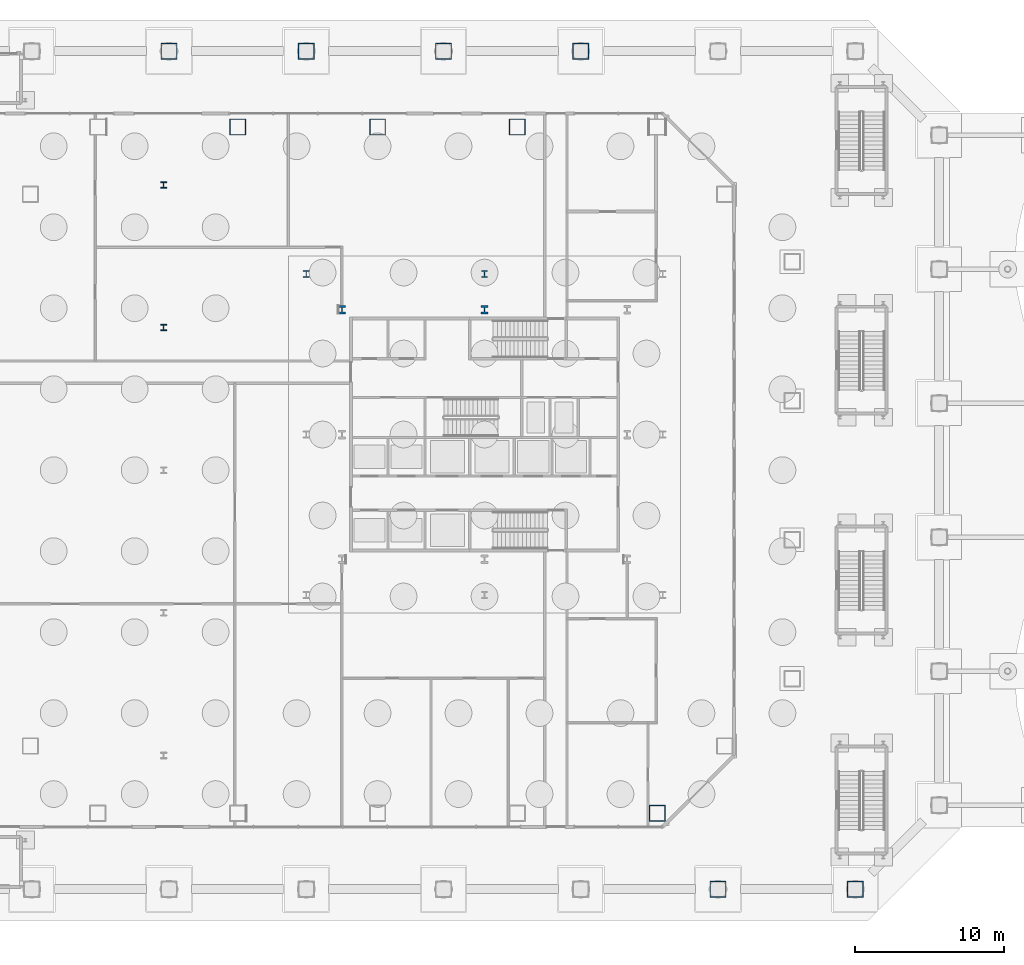
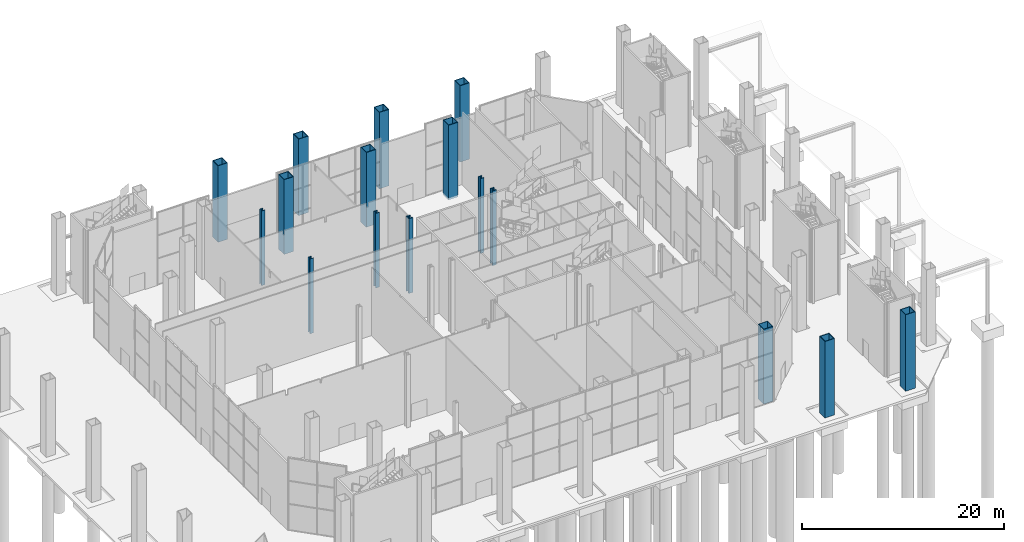
# One storey, part 6 of 38: 16 columns.
"""IFC4 building model written with IfcOpenShell, lengths in metres."""

import ifcopenshell
import ifcopenshell.guid

model = None  # the IFC model being written
_history = None  # IfcOwnerHistory: only IFC2X3 demands one
_inside = {}  # id of a spatial element -> (the spatial element, [elements in it])
_under = {}  # id of a project, library or spatial element -> (it, [spatial elements below it])
_declared = {}  # id of a project -> (the project, [libraries it declares])
_typed = {}  # id of a type object -> (the type object, [elements of that type])
_made_of = {}  # id of a material, layer set ... -> (it, [elements and type objects made of it])


def new_model(schema):
    """Start an empty IFC model of exactly this schema.

    Asked for "IFC4X3", IfcOpenShell would pick the latest addendum, in which some entities
    have other attributes; the version numbers below select the first issue.
    IFC2X3 requires an IfcOwnerHistory on every rooted entity: one is made here for all.
    """
    global model, _history
    if schema == "IFC4X3":
        model = ifcopenshell.file(schema_version=(4, 3, 0, 0))
    else:
        model = ifcopenshell.file(schema=schema)
    _inside.clear()
    _under.clear()
    _declared.clear()
    _typed.clear()
    _made_of.clear()
    _history = None
    if model.schema == "IFC2X3":
        org = make("IfcOrganization", Name="unknown")
        user = make(
            "IfcPersonAndOrganization",
            ThePerson=make("IfcPerson", FamilyName="unknown"),
            TheOrganization=org,
        )
        app = make(
            "IfcApplication",
            ApplicationDeveloper=org,
            Version="unknown",
            ApplicationFullName="unknown",
            ApplicationIdentifier="unknown",
        )
        _history = make(
            "IfcOwnerHistory",
            OwningUser=user,
            OwningApplication=app,
            ChangeAction="ADDED",
            CreationDate=0,
        )
    return model


def make(cls, **values):
    """One entity of the class cls with the attributes given. An attribute that is None is left unset."""
    return model.create_entity(
        cls, **{name: value for name, value in values.items() if value is not None}
    )


def rooted(cls, **values):
    """An entity with a GlobalId (a new one), such as an element, a storey or a relation."""
    return make(cls, GlobalId=ifcopenshell.guid.new(), OwnerHistory=_history, **values)


def si_unit(unit_type, name, prefix=None):
    """IfcSIUnit, for example si_unit("LENGTHUNIT", "METRE", prefix="MILLI")."""
    return make("IfcSIUnit", UnitType=unit_type, Prefix=prefix, Name=name)


def assignment(units):
    """IfcUnitAssignment: the units of a project."""
    return None if units is None else make("IfcUnitAssignment", Units=units)


def point(xyz):
    """IfcCartesianPoint."""
    return None if xyz is None else make("IfcCartesianPoint", Coordinates=xyz)


def direction(xyz):
    """IfcDirection."""
    return None if xyz is None else make("IfcDirection", DirectionRatios=xyz)


def frame(location, z_axis=None, x_axis=None):
    """IfcAxis2Placement3D, a coordinate frame: its origin and axes. An axis left out is left unset."""
    return make(
        "IfcAxis2Placement3D",
        Location=point(location),
        Axis=direction(z_axis),
        RefDirection=direction(x_axis),
    )


def frame_2d(location, x_axis=None):
    """IfcAxis2Placement2D, a coordinate frame in the plane: its origin and x axis."""
    return make(
        "IfcAxis2Placement2D", Location=point(location), RefDirection=direction(x_axis)
    )


def origin():
    """The frame at (0, 0, 0) with its axes left unset."""
    return frame((0.0, 0.0, 0.0))


def origin_2d():
    """The frame at (0, 0) in the plane with its x axis left unset."""
    return frame_2d((0.0, 0.0))


def place(relative_to, where):
    """IfcLocalPlacement: puts the frame where relative to a parent placement (None: the world)."""
    return make(
        "IfcLocalPlacement", PlacementRelTo=relative_to, RelativePlacement=where
    )


def context(
    kind, dimensions, precision=None, world=None, true_north=None, identifier=None
):
    """IfcGeometricRepresentationContext, for example the 3D "Model" context."""
    return make(
        "IfcGeometricRepresentationContext",
        ContextIdentifier=identifier,
        ContextType=kind,
        CoordinateSpaceDimension=dimensions,
        Precision=precision,
        WorldCoordinateSystem=world,
        TrueNorth=true_north,
    )


def subcontext(parent, identifier, kind, view, scale=None):
    """IfcGeometricRepresentationSubContext, for example "Body" below "Model"."""
    return make(
        "IfcGeometricRepresentationSubContext",
        ContextIdentifier=identifier,
        ContextType=kind,
        ParentContext=parent,
        TargetScale=scale,
        TargetView=view,
    )


def project(units=None, contexts=None):
    """IfcProject with its units and contexts."""
    return rooted(
        "IfcProject",
        Name="project",
        RepresentationContexts=contexts,
        UnitsInContext=assignment(units),
    )


def spatial(cls, under=None, at=None, **own):
    """A site, building, storey or space (cls), placed at a placement, below another one or the project."""
    s = rooted(cls, ObjectPlacement=at, **own)
    if under is not None:
        _under.setdefault(under.id(), (under, []))[1].append(s)
    return s


def profile(cls, at=None, kind="AREA", **sizes):
    """A parametric profile (cls). Its sizes go by their IFC names, for example OverallWidth=200.0."""
    return make(cls, ProfileType=kind, Position=at, **sizes)


def hollow_rectangle(**sizes):
    """IfcRectangleHollowProfileDef."""
    return profile("IfcRectangleHollowProfileDef", **sizes)


def i_section(**sizes):
    """IfcIShapeProfileDef."""
    return profile("IfcIShapeProfileDef", **sizes)


def extrude(swept, where, along, depth):
    """IfcExtrudedAreaSolid: the profile swept, set in the frame where, extruded along a direction by depth."""
    return make(
        "IfcExtrudedAreaSolid",
        SweptArea=swept,
        Position=where,
        ExtrudedDirection=direction(along),
        Depth=depth,
    )


def shape(context_of_items, identifier, shape_type, items):
    """IfcShapeRepresentation: the items that make up one representation, for example the "Body"."""
    return make(
        "IfcShapeRepresentation",
        ContextOfItems=context_of_items,
        RepresentationIdentifier=identifier,
        RepresentationType=shape_type,
        Items=items,
    )


def material(Name=None, Category=None):
    """IfcMaterial."""
    return make("IfcMaterial", Name=Name, Category=Category)


def material_profile(
    of_material, cross_section, Name=None, Category=None, Priority=None
):
    """IfcMaterialProfile: a cross section and its material."""
    return make(
        "IfcMaterialProfile",
        Name=Name,
        Material=of_material,
        Profile=cross_section,
        Priority=Priority,
        Category=Category,
    )


def profile_set(profiles, Name=None, composite=None):
    """IfcMaterialProfileSet."""
    return make(
        "IfcMaterialProfileSet",
        Name=Name,
        MaterialProfiles=profiles,
        CompositeProfile=composite,
    )


def made_of(thing, what):
    """Note that an element or type object is made of a material, layer set ...; save() writes the relation."""
    if what is not None:
        _made_of.setdefault(what.id(), (what, []))[1].append(thing)
    return thing


def type_object(cls, material=None, **own):
    """A type object (cls), such as IfcWallType, which elements share."""
    return made_of(rooted(cls, **own), material)


def element(
    cls,
    number,
    at=None,
    inside=None,
    cuts=None,
    type_object=None,
    material=None,
    context=None,
    identifier="Body",
    shape_type=None,
    held_by="IfcProductDefinitionShape",
    body=None,
    shapes=None,
    **own,
):
    """One element of the class cls, such as IfcWall. Its Tag is "e" and its number.

    at: its placement. inside: the storey or other place that contains it. cuts: it is an
    opening in that element (IfcRelVoidsElement). A single representation is given by context,
    identifier, shape_type and body (its items); several are given by shapes. held_by: the class
    of the entity that holds the representations. save() writes the other relations.
    """
    e = rooted(cls, Tag="e%d" % number, ObjectPlacement=at, **own)
    if body is not None:
        shapes = [shape(context, identifier, shape_type, body)]
    if shapes is not None:
        e.Representation = make(held_by, Representations=shapes)
    if inside is not None:
        _inside.setdefault(inside.id(), (inside, []))[1].append(e)
    if cuts is not None:
        rooted(
            "IfcRelVoidsElement", RelatingBuildingElement=cuts, RelatedOpeningElement=e
        )
    if type_object is not None:
        _typed.setdefault(type_object.id(), (type_object, []))[1].append(e)
    return made_of(e, material)


def aggregate(whole, parts):
    """IfcRelAggregates: a whole, such as a stair, and the parts it consists of."""
    return rooted("IfcRelAggregates", RelatingObject=whole, RelatedObjects=parts)


def save(model, path):
    """Write the relations noted so far, then the file.

    IfcRelAggregates (storeys below a building ...), IfcRelContainedInSpatialStructure (elements
    in a storey), IfcRelDefinesByType, IfcRelAssociatesMaterial and IfcRelDeclares: one each for
    every whole, place, type object, material and project.
    """
    for whole, parts in _under.values():
        aggregate(whole, parts)
    for where, things in _inside.values():
        rooted(
            "IfcRelContainedInSpatialStructure",
            RelatedElements=things,
            RelatingStructure=where,
        )
    for kind, things in _typed.values():
        rooted("IfcRelDefinesByType", RelatedObjects=things, RelatingType=kind)
    for what, things in _made_of.values():
        rooted("IfcRelAssociatesMaterial", RelatedObjects=things, RelatingMaterial=what)
    for by, libraries in _declared.values():
        rooted("IfcRelDeclares", RelatingContext=by, RelatedDefinitions=libraries)
    model.write(path)


model = new_model("IFC4")

# Units and contexts
model_context = context("Model", 3, precision=1e-05, world=origin(), true_north=direction((0.0, 1.0)))
body_context = subcontext(model_context, "Body", "Model", "MODEL_VIEW")
ifc_project = project(units=[si_unit("LENGTHUNIT", "METRE"), si_unit("AREAUNIT", "SQUARE_METRE"), si_unit("VOLUMEUNIT", "CUBIC_METRE"), si_unit("PLANEANGLEUNIT", "RADIAN"), si_unit("MASSUNIT", "GRAM", prefix="KILO")], contexts=[model_context])

# Site, building, storey
site_placement = place(None, origin())
site = spatial("IfcSite", under=ifc_project, at=site_placement, CompositionType="ELEMENT")
building_placement = place(site_placement, origin())
building = spatial("IfcBuilding", under=site, at=building_placement, Name="Cairn Pilgrim Tower", CompositionType="ELEMENT")
storey_placement = place(building_placement, origin())
storey = spatial("IfcBuildingStorey", under=building, at=storey_placement, Name="L00", CompositionType="ELEMENT", Elevation=0.0)

# Columns
ifc_material = material(Name="Structural steel S460M", Category="steel")
ifc_material_profile_1 = material_profile(ifc_material, hollow_rectangle(XDim=1.10009765625, YDim=1.10009765625, WallThickness=0.06005859375, at=origin_2d()), Name="BOX 1100x1100x60")
ifc_profile_set_1 = profile_set([ifc_material_profile_1], Name="Structural steel S460M")
column_type_1 = type_object("IfcColumnType", Name="BOX 1100x1100x60", PredefinedType="COLUMN", material=ifc_profile_set_1)
for number, where, z_axis, x_axis, name in (
    (1, (18.8271484375, -23.10009765625, -0.25), (0.0, 0.0, 1.0), (1.0, 0.0, 0.0), "PC1-SE1"),
    (2, (9.41357421875, 23.10009765625, -0.25), (0.0, 0.0, 1.0), (1.0, 0.0, 0.0), "PC1-N2"),
    (3, (0.0, 23.10009765625, -0.25), (0.0, 0.0, 1.0), (1.0, 0.0, 0.0), "PC1-N3"),
    (4, (-9.41357421875, 23.10009765625, -0.25), (0.0, 0.0, 1.0), (1.0, 0.0, 0.0), "PC1-N4"),
):
    element("IfcColumn", number, at=place(storey_placement, frame(where, z_axis=z_axis, x_axis=x_axis)), inside=storey, type_object=column_type_1, Name=name, PredefinedType="COLUMN", context=body_context, shape_type="SweptSolid", body=[
        extrude(hollow_rectangle(XDim=1.10009765625, YDim=1.10009765625, WallThickness=0.06005859375, at=origin_2d()), origin(), (0.0, 0.0, 1.0), 9.050048828125),
    ])
ifc_material_profile_2 = material_profile(ifc_material, i_section(OverallWidth=0.4541015625, OverallDepth=0.569091796875, WebThickness=0.077880859375, FlangeThickness=0.125, FilletRadius=0.014892578125, at=origin_2d()), Name="HD 400x1086")
ifc_profile_set_2 = profile_set([ifc_material_profile_2], Name="Structural steel S460M")
column_type_2 = type_object("IfcColumnType", Name="HD 400x1086", PredefinedType="COLUMN", material=ifc_profile_set_2)
for number, where, z_axis, x_axis, name in (
    (5, (-2.39990234375, 10.800048828125, -0.25), (0.0, 0.0, 1.0), (1.0, 0.0, 0.0), "KC-6"),
    (6, (7.199951171875, 10.800048828125, -0.25), (0.0, 0.0, 1.0), (1.0, 0.0, 0.0), "KC-7"),
):
    element("IfcColumn", number, at=place(storey_placement, frame(where, z_axis=z_axis, x_axis=x_axis)), inside=storey, type_object=column_type_2, Name=name, PredefinedType="COLUMN", context=body_context, shape_type="SweptSolid", body=[
        extrude(i_section(OverallWidth=0.4541015625, OverallDepth=0.569091796875, WebThickness=0.077880859375, FlangeThickness=0.125, FilletRadius=0.014892578125, at=origin_2d()), origin(), (0.0, 0.0, 1.0), 9.050048828125),
    ])
ifc_material_profile_3 = material_profile(ifc_material, i_section(OverallWidth=0.408935546875, OverallDepth=0.425048828125, WebThickness=0.03271484375, FlangeThickness=0.052490234375, FilletRadius=0.014892578125, at=origin_2d()), Name="HD 400x421")
ifc_profile_set_3 = profile_set([ifc_material_profile_3], Name="Structural steel S460M")
column_type_3 = type_object("IfcColumnType", Name="HD 400x421", PredefinedType="COLUMN", material=ifc_profile_set_3)
for number, where, z_axis, x_axis, name in (
    (7, (-14.39990234375, 9.60009765625, -0.25), (0.0, 0.0, 1.0), (1.0, 0.0, 0.0), "WC-WW+2"),
    (8, (-14.39990234375, 19.199951171875, -0.25), (0.0, 0.0, 1.0), (1.0, 0.0, 0.0), "WC-WW+4"),
):
    element("IfcColumn", number, at=place(storey_placement, frame(where, z_axis=z_axis, x_axis=x_axis)), inside=storey, type_object=column_type_3, Name=name, PredefinedType="COLUMN", context=body_context, shape_type="SweptSolid", body=[
        extrude(i_section(OverallWidth=0.408935546875, OverallDepth=0.425048828125, WebThickness=0.03271484375, FlangeThickness=0.052490234375, FilletRadius=0.014892578125, at=origin_2d()), origin(), (0.0, 0.0, 1.0), 9.050048828125),
    ])
ifc_material_profile_4 = material_profile(ifc_material, i_section(OverallWidth=0.424072265625, OverallDepth=0.47412109375, WebThickness=0.047607421875, FlangeThickness=0.0771484375, FilletRadius=0.014892578125, at=origin_2d()), Name="HD 400x634")
ifc_profile_set_4 = profile_set([ifc_material_profile_4], Name="Structural steel S460M")
column_type_4 = type_object("IfcColumnType", Name="HD 400x634", PredefinedType="COLUMN", material=ifc_profile_set_4)
for number, where, z_axis, x_axis, name in (
    (9, (-4.800048828125, 13.199951171875, -0.25), (0.0, 0.0, 1.0), (1.0, 0.0, 0.0), "IC-6"),
    (10, (7.199951171875, 13.199951171875, -0.25), (0.0, 0.0, 1.0), (1.0, 0.0, 0.0), "IC-7"),
):
    element("IfcColumn", number, at=place(storey_placement, frame(where, z_axis=z_axis, x_axis=x_axis)), inside=storey, type_object=column_type_4, Name=name, PredefinedType="COLUMN", context=body_context, shape_type="SweptSolid", body=[
        extrude(i_section(OverallWidth=0.424072265625, OverallDepth=0.47412109375, WebThickness=0.047607421875, FlangeThickness=0.0771484375, FilletRadius=0.014892578125, at=origin_2d()), origin(), (0.0, 0.0, 1.0), 9.050048828125),
    ])
ifc_material_profile_5 = material_profile(ifc_material, hollow_rectangle(XDim=1.10009765625, YDim=1.10009765625, WallThickness=0.06005859375, at=origin_2d()), Name="BOX 1100x1100x60")
ifc_profile_set_5 = profile_set([ifc_material_profile_5], Name="Structural steel S460M")
column_type_5 = type_object("IfcColumnType", Name="PILOTIS CFT 1100", PredefinedType="COLUMN", material=ifc_profile_set_5)
for number, where, z_axis, x_axis, name in (
    (11, (22.91357421875, -28.199951171875, -0.25), (0.0, 0.0, 1.0), (1.0, 0.0, 0.0), "PILOTIS PL-S8"),
    (12, (32.151611328125, -28.199951171875, -0.25), (0.0, 0.0, 1.0), (1.0, 0.0, 0.0), "PILOTIS PL-SE1"),
    (13, (13.67578125, 28.199951171875, -0.25), (0.0, 0.0, 1.0), (1.0, 0.0, 0.0), "PILOTIS PL-N3"),
    (14, (4.43798828125, 28.199951171875, -0.25), (0.0, 0.0, 1.0), (1.0, 0.0, 0.0), "PILOTIS PL-N4"),
    (15, (-4.800048828125, 28.199951171875, -0.25), (0.0, 0.0, 1.0), (1.0, 0.0, 0.0), "PILOTIS PL-N5"),
    (16, (-14.037841796875, 28.199951171875, -0.25), (0.0, 0.0, 1.0), (1.0, 0.0, 0.0), "PILOTIS PL-N6"),
):
    element("IfcColumn", number, at=place(storey_placement, frame(where, z_axis=z_axis, x_axis=x_axis)), inside=storey, type_object=column_type_5, Name=name, PredefinedType="COLUMN", context=body_context, shape_type="SweptSolid", body=[
        extrude(hollow_rectangle(XDim=1.10009765625, YDim=1.10009765625, WallThickness=0.06005859375, at=origin_2d()), origin(), (0.0, 0.0, 1.0), 9.25),
    ])

save(model, "model.ifc")
